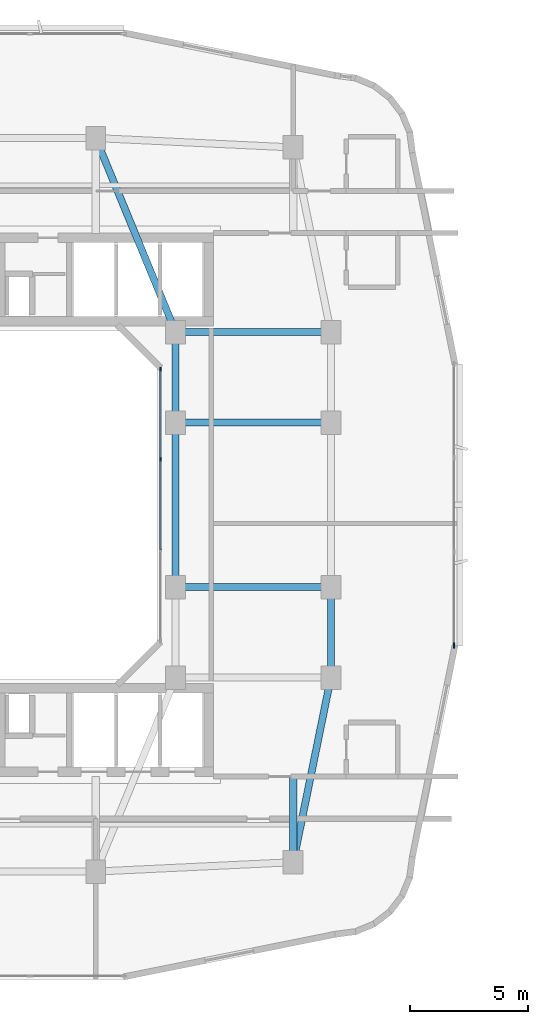
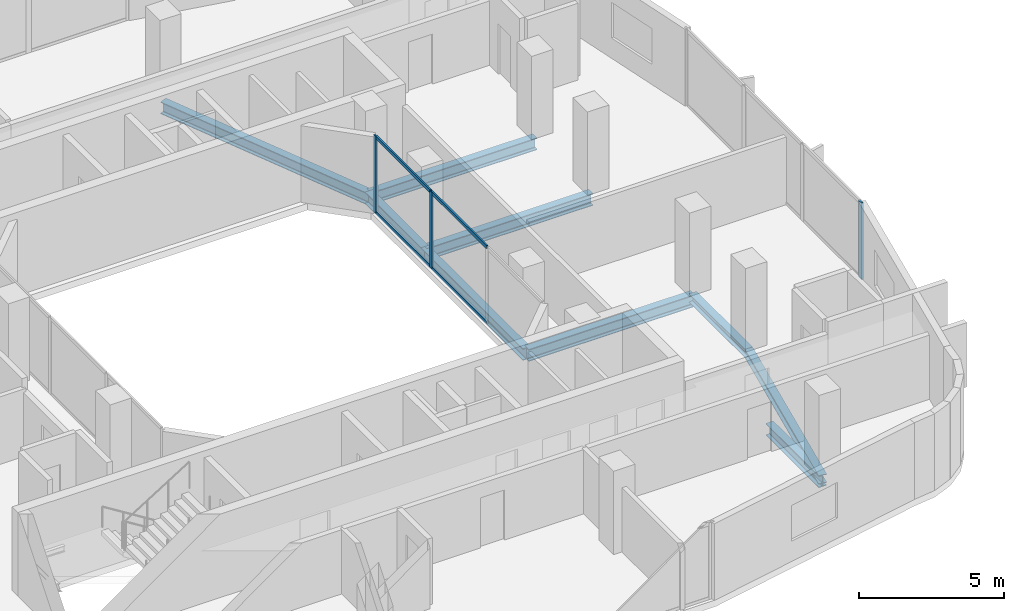
# One storey, part 4 of 18: 9 beams, 7 members, 2 elements without a shape of their own.
"""IFC4 building model written with IfcOpenShell, lengths in metres."""

from ifc_helpers import new_model, si_unit, derived_unit, direction, frame, origin, origin_2d, place, context, subcontext, project, spatial, rectangle, i_section, extrude, material, layer, layer_set, material_profile, profile_set, type_object, element, aggregate, save


model = new_model("IFC4")

# Units and contexts
model_context = context("Model", 3, precision=1e-05, world=origin(), true_north=direction((0.0, 1.0)))
body_context = subcontext(model_context, "Body", "Model", "MODEL_VIEW")
ifc_project = project(units=[si_unit("LENGTHUNIT", "METRE"), si_unit("AREAUNIT", "SQUARE_METRE"), si_unit("VOLUMEUNIT", "CUBIC_METRE"), si_unit("PLANEANGLEUNIT", "RADIAN"), si_unit("MASSUNIT", "GRAM", prefix="KILO"), derived_unit("THERMALTRANSMITTANCEUNIT", [(si_unit("POWERUNIT", "WATT"), 1), (si_unit("LENGTHUNIT", "METRE"), -2), (si_unit("THERMODYNAMICTEMPERATUREUNIT", "KELVIN"), -1)])], contexts=[model_context])

# Site, building, storey
site_placement = place(None, origin())
site = spatial("IfcSite", under=ifc_project, at=site_placement, CompositionType="ELEMENT")
building_placement = place(site_placement, origin())
building = spatial("IfcBuilding", under=site, at=building_placement, Name="Kivonza Crest Hotel", CompositionType="ELEMENT")
storey_placement = place(building_placement, frame((0.0, 0.0, 131.0)))
storey = spatial("IfcBuildingStorey", under=building, at=storey_placement, Name="L35", CompositionType="ELEMENT", Elevation=131.0)

# Beams
ifc_material_1 = material(Name="Steel S355", Category="steel")
ifc_material_profile_1 = material_profile(ifc_material_1, i_section(OverallWidth=0.300048828125, OverallDepth=0.360107421875, WebThickness=0.012451171875, FlangeThickness=0.0224609375, FilletRadius=0.027099609375, at=origin_2d()), Name="HEB 360")
ifc_profile_set_1 = profile_set([ifc_material_profile_1], Name="Steel S355")
beam_type_1 = type_object("IfcBeamType", Name="BM-HEB360", PredefinedType="SPANDREL", material=ifc_profile_set_1)
beam_1_placement = place(storey_placement, frame((34.199951171875, 9.800048828125, -0.4599609375), z_axis=(0.199730733965, 0.979850822273, 0.0), x_axis=(-0.979850822273, 0.199730733965, 0.0)))
element("IfcBeam", 1, at=beam_1_placement, inside=storey, type_object=beam_type_1, Name="Tower T1 L35 perimeter spandrel SE-PSE", PredefinedType="SPANDREL", context=body_context, shape_type="SweptSolid", body=[
    extrude(i_section(OverallWidth=0.300048828125, OverallDepth=0.360107421875, WebThickness=0.012451171875, FlangeThickness=0.0224609375, FilletRadius=0.027099609375, at=origin_2d()), origin(), (0.0, 0.0, 1.0), 8.01123046875),
])
beam_2_placement = place(storey_placement, frame((35.800048828125, 17.64990234375, -0.4599609375), z_axis=(0.0, 1.0, 0.0), x_axis=(-1.0, 0.0, 0.0)))
element("IfcBeam", 2, at=beam_2_placement, inside=storey, type_object=beam_type_1, Name="Tower T1 L35 perimeter spandrel PSE-E1", PredefinedType="SPANDREL", context=body_context, shape_type="SweptSolid", body=[
    extrude(i_section(OverallWidth=0.300048828125, OverallDepth=0.360107421875, WebThickness=0.012451171875, FlangeThickness=0.0224609375, FilletRadius=0.027099609375, at=origin_2d()), origin(), (0.0, 0.0, 1.0), 3.85009765625),
])
ifc_material_profile_2 = material_profile(ifc_material_1, i_section(OverallWidth=0.300048828125, OverallDepth=0.5, WebThickness=0.014404296875, FlangeThickness=0.028076171875, FilletRadius=0.027099609375, at=origin_2d()), Name="HEB 500")
ifc_profile_set_2 = profile_set([ifc_material_profile_2], Name="Steel S355")
beam_type_2 = type_object("IfcBeamType", Name="BM-HEB500", PredefinedType="BEAM", material=ifc_profile_set_2)
beam_3_placement = place(storey_placement, frame((25.800048828125, 40.60009765625, -0.530029296875), z_axis=(0.381022260404, -0.924565864109, 0.0), x_axis=(0.924565864109, 0.381022260404, 0.0)))
element("IfcBeam", 3, at=beam_3_placement, inside=storey, type_object=beam_type_2, Name="Tower T1 L35 primary girder N1-TNE", PredefinedType="BEAM", context=body_context, shape_type="SweptSolid", body=[
    extrude(i_section(OverallWidth=0.300048828125, OverallDepth=0.5, WebThickness=0.014404296875, FlangeThickness=0.028076171875, FilletRadius=0.027099609375, at=origin_2d()), origin(), (0.0, 0.0, 1.0), 8.923095703125),
])
beam_4_placement = place(storey_placement, frame((29.199951171875, 32.35009765625, -0.530029296875), z_axis=(1.0, 0.0, 0.0), x_axis=(0.0, 1.0, 0.0)))
element("IfcBeam", 4, at=beam_4_placement, inside=storey, type_object=beam_type_2, Name="Tower T1 L35 primary girder TNE-PNE", PredefinedType="BEAM", context=body_context, shape_type="SweptSolid", body=[
    extrude(i_section(OverallWidth=0.300048828125, OverallDepth=0.5, WebThickness=0.014404296875, FlangeThickness=0.028076171875, FilletRadius=0.027099609375, at=origin_2d()), origin(), (0.0, 0.0, 1.0), 6.60009765625),
])
beam_5_placement = place(storey_placement, frame((29.199951171875, 21.5, -0.530029296875), z_axis=(0.0, 1.0, 0.0), x_axis=(-1.0, 0.0, 0.0)))
element("IfcBeam", 5, at=beam_5_placement, inside=storey, type_object=beam_type_2, Name="Tower T1 L35 primary girder WR1-WR2", PredefinedType="BEAM", context=body_context, shape_type="SweptSolid", body=[
    extrude(i_section(OverallWidth=0.300048828125, OverallDepth=0.5, WebThickness=0.014404296875, FlangeThickness=0.028076171875, FilletRadius=0.027099609375, at=origin_2d()), origin(), (0.0, 0.0, 1.0), 7.0),
])
beam_6_placement = place(storey_placement, frame((29.199951171875, 28.5, -0.530029296875), z_axis=(0.0, 1.0, 0.0), x_axis=(-1.0, 0.0, 0.0)))
element("IfcBeam", 6, at=beam_6_placement, inside=storey, type_object=beam_type_2, Name="Tower T1 L35 primary girder WR2-TNE", PredefinedType="BEAM", context=body_context, shape_type="SweptSolid", body=[
    extrude(i_section(OverallWidth=0.300048828125, OverallDepth=0.5, WebThickness=0.014404296875, FlangeThickness=0.028076171875, FilletRadius=0.027099609375, at=origin_2d()), origin(), (0.0, 0.0, 1.0), 3.85009765625),
])
for number, where, z_axis, x_axis, name in (
    (7, (29.199951171875, 21.5, -0.530029296875), (1.0, 0.0, 0.0), (0.0, 1.0, 0.0), "Tower T1 L35 primary girder WR1-E1"),
    (8, (29.199951171875, 28.5, -0.530029296875), (1.0, 0.0, 0.0), (0.0, 1.0, 0.0), "Tower T1 L35 primary girder WR2-E2"),
):
    element("IfcBeam", number, at=place(storey_placement, frame(where, z_axis=z_axis, x_axis=x_axis)), inside=storey, type_object=beam_type_2, Name=name, PredefinedType="BEAM", context=body_context, shape_type="SweptSolid", body=[
        extrude(i_section(OverallWidth=0.300048828125, OverallDepth=0.5, WebThickness=0.014404296875, FlangeThickness=0.028076171875, FilletRadius=0.027099609375, at=origin_2d()), origin(), (0.0, 0.0, 1.0), 6.60009765625),
    ])
beam_7_placement = place(storey_placement, frame((34.199951171875, 9.800048828125, -0.530029296875), z_axis=(0.0, 1.0, 0.0), x_axis=(-1.0, 0.0, 0.0)))
element("IfcBeam", 9, at=beam_7_placement, inside=storey, type_object=beam_type_2, Name="Tower T1 L35 radial core girder RSE", PredefinedType="BEAM", context=body_context, shape_type="SweptSolid", body=[
    extrude(i_section(OverallWidth=0.300048828125, OverallDepth=0.5, WebThickness=0.014404296875, FlangeThickness=0.028076171875, FilletRadius=0.027099609375, at=origin_2d()), origin(), (0.0, 0.0, 1.0), 3.64990234375),
])

# Curtain wall, members
ifc_material_2 = material(Name="Anodised bronze aluminium and low-E double glazing", Category="aluminium")
ifc_layer_1 = layer(ifc_material_2, 0.159912109375)
ifc_layer_set_1 = layer_set([ifc_layer_1], Name="Anodised bronze aluminium and low-E double glazing")
curtain_wall_type_1 = type_object("IfcCurtainWallType", Name="CW-SYS-5", PredefinedType="NOTDEFINED", material=ifc_layer_set_1)
curtain_wall_1_placement = place(storey_placement, origin())
curtain_wall_1 = element("IfcCurtainWall", 10, at=curtain_wall_1_placement, inside=storey, type_object=curtain_wall_type_1, Name="L35 unitised curtain wall CW-WELL-T1-L35-3", PredefinedType="NOTDEFINED")
ifc_material_3 = material(Name="Anodised bronze aluminium", Category="aluminium")
ifc_material_profile_3 = material_profile(ifc_material_3, rectangle(XDim=0.06494140625, YDim=0.179931640625, at=origin_2d()), Name="CW-M 65x180")
ifc_profile_set_3 = profile_set([ifc_material_profile_3], Name="Anodised bronze aluminium")
member_type_1 = type_object("IfcMemberType", Name="CW-MUL-65x180", PredefinedType="MULLION", material=ifc_profile_set_3)
member_1_placement = place(storey_placement, frame((28.56005859375, 26.933349609375, 0.0), z_axis=(0.0, 0.0, 1.0), x_axis=(-1.0, 0.0, 0.0)))
member_1 = element("IfcMember", 11, at=member_1_placement, type_object=member_type_1, Name="CW-5 mullion 3", PredefinedType="MULLION", context=body_context, shape_type="SweptSolid", body=[
    extrude(rectangle(XDim=0.06494140625, YDim=0.179931640625, at=origin_2d()), origin(), (0.0, 0.0, 1.0), 3.219970703125),
])
member_2_placement = place(storey_placement, frame((28.56005859375, 30.767578125, 0.0), z_axis=(0.0, 0.0, 1.0), x_axis=(-1.0, 0.0, 0.0)))
member_2 = element("IfcMember", 12, at=member_2_placement, type_object=member_type_1, Name="CW-5 mullion 4", PredefinedType="MULLION", context=body_context, shape_type="SweptSolid", body=[
    extrude(rectangle(XDim=0.06494140625, YDim=0.179931640625, at=origin_2d()), origin(), (0.0, 0.0, 1.0), 3.219970703125),
])

# Curtain wall, member
ifc_layer_2 = layer(ifc_material_2, 0.179931640625)
ifc_layer_set_2 = layer_set([ifc_layer_2], Name="Anodised bronze aluminium and low-E double glazing")
curtain_wall_type_2 = type_object("IfcCurtainWallType", Name="CW-SYS-3", PredefinedType="NOTDEFINED", material=ifc_layer_set_2)
curtain_wall_2_placement = place(storey_placement, origin())
curtain_wall_2 = element("IfcCurtainWall", 13, at=curtain_wall_2_placement, inside=storey, type_object=curtain_wall_type_2, Name="L35 unitised curtain wall CW-T1-L35-17", PredefinedType="NOTDEFINED")
ifc_material_profile_4 = material_profile(ifc_material_3, rectangle(XDim=0.074951171875, YDim=0.219970703125, at=origin_2d()), Name="CW-M 75x220")
ifc_profile_set_4 = profile_set([ifc_material_profile_4], Name="Anodised bronze aluminium")
member_type_2 = type_object("IfcMemberType", Name="CW-MUL-75x220", PredefinedType="MULLION", material=ifc_profile_set_4)
member_3_placement = place(storey_placement, frame((41.0400390625, 19.017578125, 0.0), z_axis=(0.0, 0.0, 1.0), x_axis=(-1.0, 0.0, 0.0)))
member_3 = element("IfcMember", 14, at=member_3_placement, type_object=member_type_2, Name="CW-3 mullion 1", PredefinedType="MULLION", context=body_context, shape_type="SweptSolid", body=[
    extrude(rectangle(XDim=0.074951171875, YDim=0.219970703125, at=origin_2d()), origin(), (0.0, 0.0, 1.0), 3.219970703125),
])
aggregate(curtain_wall_2, [member_3])

# Member
ifc_material_profile_5 = material_profile(ifc_material_3, rectangle(XDim=0.06494140625, YDim=0.139892578125, at=origin_2d()), Name="CW-T 65x140")
ifc_profile_set_5 = profile_set([ifc_material_profile_5], Name="Anodised bronze aluminium")
member_type_3 = type_object("IfcMemberType", Name="CW-TRN-65x140", PredefinedType="USERDEFINED", material=ifc_profile_set_5)
member_4_placement = place(storey_placement, frame((28.56005859375, 23.09912109375, 0.032470703125), z_axis=(0.0, 1.0, 0.0), x_axis=(-1.0, 0.0, 0.0)))
member_4 = element("IfcMember", 15, at=member_4_placement, type_object=member_type_3, Name="CW-5 transom 2.1", ObjectType="TRANSOM", PredefinedType="USERDEFINED", context=body_context, shape_type="SweptSolid", body=[
    extrude(rectangle(XDim=0.06494140625, YDim=0.139892578125, at=origin_2d()), origin(), (0.0, 0.0, 1.0), 3.8017578125),
])

member_5_placement = place(storey_placement, frame((28.56005859375, 23.09912109375, 3.1875), z_axis=(0.0, 1.0, 0.0), x_axis=(-1.0, 0.0, 0.0)))
member_5 = element("IfcMember", 16, at=member_5_placement, type_object=member_type_3, Name="CW-5 transom 2.2", ObjectType="TRANSOM", PredefinedType="USERDEFINED", context=body_context, shape_type="SweptSolid", body=[
    extrude(rectangle(XDim=0.06494140625, YDim=0.139892578125, at=origin_2d()), origin(), (0.0, 0.0, 1.0), 3.8017578125),
])

member_6_placement = place(storey_placement, frame((28.56005859375, 26.9658203125, 0.032470703125), z_axis=(0.0, 1.0, 0.0), x_axis=(-1.0, 0.0, 0.0)))
member_6 = element("IfcMember", 17, at=member_6_placement, type_object=member_type_3, Name="CW-5 transom 3.1", ObjectType="TRANSOM", PredefinedType="USERDEFINED", context=body_context, shape_type="SweptSolid", body=[
    extrude(rectangle(XDim=0.06494140625, YDim=0.139892578125, at=origin_2d()), origin(), (0.0, 0.0, 1.0), 3.769287109375),
])

member_7_placement = place(storey_placement, frame((28.56005859375, 26.9658203125, 3.1875), z_axis=(0.0, 1.0, 0.0), x_axis=(-1.0, 0.0, 0.0)))
member_7 = element("IfcMember", 18, at=member_7_placement, type_object=member_type_3, Name="CW-5 transom 3.2", ObjectType="TRANSOM", PredefinedType="USERDEFINED", context=body_context, shape_type="SweptSolid", body=[
    extrude(rectangle(XDim=0.06494140625, YDim=0.139892578125, at=origin_2d()), origin(), (0.0, 0.0, 1.0), 3.769287109375),
])

aggregate(curtain_wall_1, [member_1, member_2, member_4, member_5, member_6, member_7])

save(model, "model.ifc")
